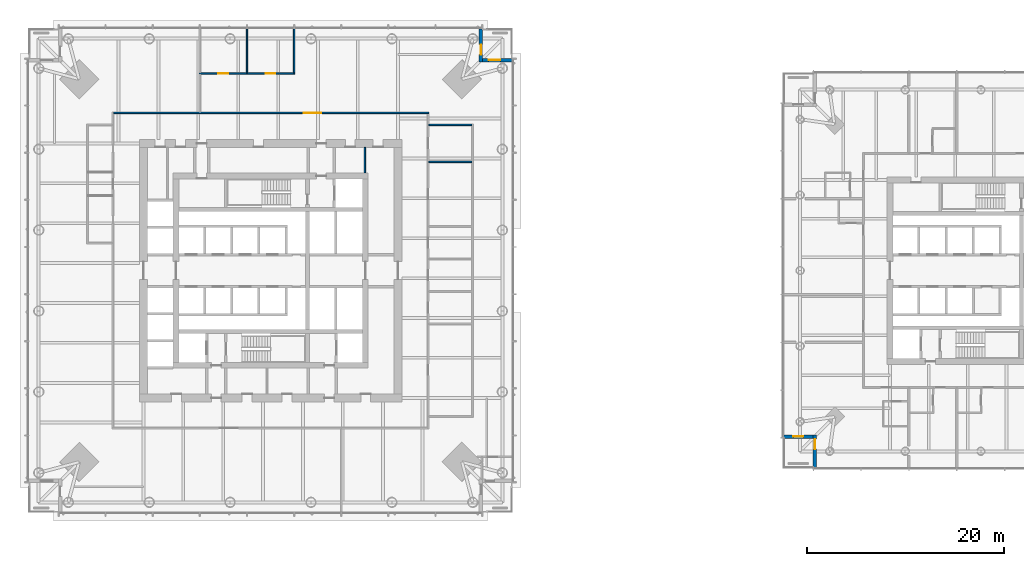
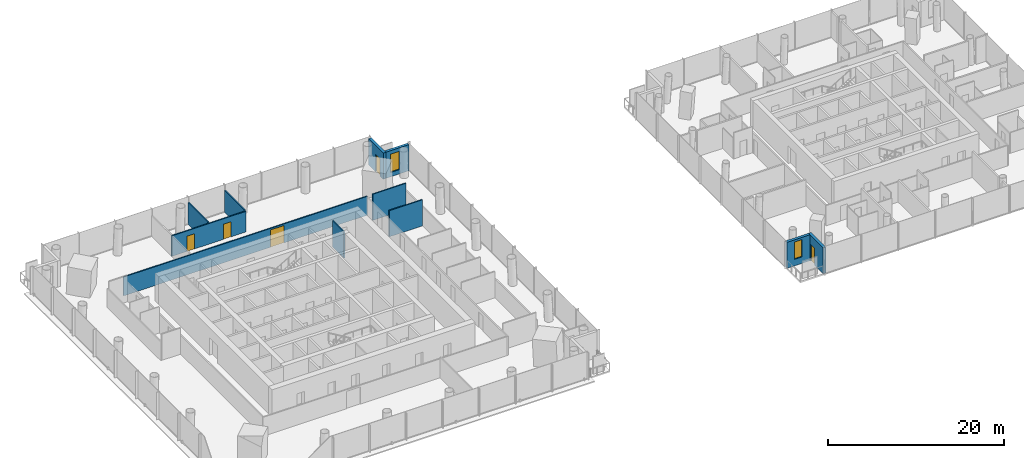
# One storey, part 12 of 26: 11 walls, 5 doors, 2 windows, 7 openings.
"""IFC4 building model written with IfcOpenShell, lengths in metres."""

from ifc_helpers import new_model, si_unit, direction, frame, frame_2d, origin, place, context, subcontext, project, spatial, rectangle, extrude, material, layer, layer_set, type_object, element, fill, save


model = new_model("IFC4")

# Units and contexts
model_context = context("Model", 3, precision=1e-05, world=origin(), true_north=direction((0.0, 1.0)))
body_context = subcontext(model_context, "Body", "Model", "MODEL_VIEW")
ifc_project = project(units=[si_unit("LENGTHUNIT", "METRE"), si_unit("AREAUNIT", "SQUARE_METRE"), si_unit("VOLUMEUNIT", "CUBIC_METRE"), si_unit("PLANEANGLEUNIT", "RADIAN"), si_unit("MASSUNIT", "GRAM", prefix="KILO")], contexts=[model_context])

# Site, building, storey
site_placement = place(None, origin())
site = spatial("IfcSite", under=ifc_project, at=site_placement, CompositionType="ELEMENT")
building_placement = place(site_placement, origin())
building = spatial("IfcBuilding", under=site, at=building_placement, Name="Ostroluk Exchange", CompositionType="ELEMENT")
storey_placement = place(building_placement, frame((0.0, 0.0, 36.199951171875)))
storey = spatial("IfcBuildingStorey", under=building, at=storey_placement, Name="L08", CompositionType="ELEMENT", Elevation=36.199951171875)

# Wall
ifc_material_1 = material(Name="Concrete blockwork", Category="masonry")
ifc_layer_1 = layer(ifc_material_1, 0.14990234375)
ifc_layer_set_1 = layer_set([ifc_layer_1], Name="Blockwork plant room wall 150")
wall_type_1 = type_object("IfcWallType", Name="Blockwork plant room wall 150", PredefinedType="SOLIDWALL", material=ifc_layer_set_1)
wall_1_placement = place(storey_placement, frame((54.550048828125, 55.89990234375, 0.0), z_axis=(0.0, 0.0, 1.0), x_axis=(0.0, 1.0, 0.0)))
element("IfcWall", 1, at=wall_1_placement, inside=storey, type_object=wall_type_1, Name="Core room wall", PredefinedType="SOLIDWALL", context=body_context, shape_type="SweptSolid", body=[
    extrude(rectangle(XDim=2.60009765625, YDim=0.14990234375, at=frame_2d((1.300048828125, 0.0))), origin(), (0.0, 0.0, 1.0), 3.6201171875),
])

# Wall, opening, door
ifc_material_2 = material(Name="Limestone", Category="masonry")
ifc_layer_2 = layer(ifc_material_2, 0.35009765625)
ifc_layer_set_2 = layer_set([ifc_layer_2], Name="Limestone facade wall 350")
wall_type_2 = type_object("IfcWallType", Name="Limestone facade wall 350", PredefinedType="SOLIDWALL", material=ifc_layer_set_2)
wall_2_placement = place(storey_placement, frame((66.324951171875, 70.5, 0.0), z_axis=(0.0, 0.0, 1.0), x_axis=(0.0, -1.0, 0.0)))
wall_2 = element("IfcWall", 2, at=wall_2_placement, inside=storey, type_object=wall_type_2, Name="Office tower NE corner wall L08 a", PredefinedType="SOLIDWALL", context=body_context, shape_type="SweptSolid", body=[
    extrude(rectangle(XDim=3.35009765625, YDim=0.35009765625, at=frame_2d((1.675048828125, 0.0))), origin(), (0.0, 0.0, 1.0), 3.6201171875),
])
opening_1_placement = place(wall_2_placement, frame((1.60009765625, 0.0, 0.0)))
opening_1 = element("IfcOpeningElement", 3, at=opening_1_placement, cuts=wall_2, Name="Opening D-B1", PredefinedType="OPENING", context=body_context, shape_type="SweptSolid", body=[
    extrude(rectangle(XDim=1.0, YDim=2.39990234375, at=frame_2d((0.5, 1.199951171875))), frame((0.0, 0.18505859375, 0.0), z_axis=(0.0, -1.0, 0.0), x_axis=(1.0, 0.0, 0.0)), (0.0, 0.0, 1.0), 0.3701171875),
])
ifc_material_3 = material(Name="Bronze framed glazed door", Category="aluminium")
door_type_1 = type_object("IfcDoorType", Name="Balcony door 1000 x 2400", OperationType="SINGLE_SWING_LEFT", PredefinedType="DOOR", material=ifc_material_3)
door_1_placement = place(opening_1_placement, origin())
door_1 = element("IfcDoor", 4, at=door_1_placement, inside=storey, type_object=door_type_1, Name="Office tower NE balcony door L08", OperationType="SINGLE_SWING_RIGHT", OverallHeight=2.39990234375, OverallWidth=1.0, PredefinedType="DOOR", context=body_context, shape_type="SweptSolid", body=[
    extrude(rectangle(XDim=1.0, YDim=2.39990234375, at=frame_2d((0.5, 1.199951171875))), frame((0.0, 0.02490234375, 0.0), z_axis=(0.0, -1.0, 0.0), x_axis=(1.0, 0.0, 0.0)), (0.0, 0.0, 1.0), 0.050048828125),
])
fill(opening_1, door_1)

# Wall, opening, window
wall_3_placement = place(storey_placement, frame((66.5, 67.324951171875, 0.0), z_axis=(0.0, 0.0, 1.0), x_axis=(1.0, 0.0, 0.0)))
wall_3 = element("IfcWall", 5, at=wall_3_placement, inside=storey, type_object=wall_type_2, Name="Office tower NE corner wall L08 b", PredefinedType="SOLIDWALL", context=body_context, shape_type="SweptSolid", body=[
    extrude(rectangle(XDim=3.0, YDim=0.35009765625, at=frame_2d((1.5, 0.0))), origin(), (0.0, 0.0, 1.0), 3.6201171875),
])
opening_2_placement = place(wall_3_placement, frame((0.60009765625, 0.0, 0.60009765625)))
opening_2 = element("IfcOpeningElement", 6, at=opening_2_placement, cuts=wall_3, Name="Opening WN-L1", PredefinedType="OPENING", context=body_context, shape_type="SweptSolid", body=[
    extrude(rectangle(XDim=1.199951171875, YDim=2.550048828125, at=frame_2d((0.60009765625, 1.27490234375))), frame((0.0, 0.18505859375, 0.0), z_axis=(0.0, -1.0, 0.0), x_axis=(1.0, 0.0, 0.0)), (0.0, 0.0, 1.0), 0.3701171875),
])
ifc_material_4 = material(Name="Laminated clear glass", Category="glass")
window_type_1 = type_object("IfcWindowType", Name="Lancet window 1200 x 2550", PartitioningType="SINGLE_PANEL", PredefinedType="WINDOW", material=ifc_material_4)
window_1_placement = place(opening_2_placement, origin())
window_1 = element("IfcWindow", 7, at=window_1_placement, inside=storey, type_object=window_type_1, Name="Office tower NE lancet window L08", OverallHeight=2.550048828125, OverallWidth=1.199951171875, PartitioningType="SINGLE_PANEL", PredefinedType="WINDOW", context=body_context, shape_type="SweptSolid", body=[
    extrude(rectangle(XDim=1.199951171875, YDim=2.550048828125, at=frame_2d((0.60009765625, 1.27490234375))), frame((0.0, 0.030029296875, 0.0), z_axis=(0.0, -1.0, 0.0), x_axis=(1.0, 0.0, 0.0)), (0.0, 0.0, 1.0), 0.06005859375),
])
fill(opening_2, window_1)

# Wall, opening, door
wall_4_placement = place(storey_placement, frame((100.175048828125, 26.0, 0.0), z_axis=(0.0, 0.0, 1.0), x_axis=(0.0, 1.0, 0.0)))
wall_4 = element("IfcWall", 8, at=wall_4_placement, inside=storey, type_object=wall_type_2, Name="Hotel tower SW corner wall L08 a", PredefinedType="SOLIDWALL", context=body_context, shape_type="SweptSolid", body=[
    extrude(rectangle(XDim=3.35009765625, YDim=0.35009765625, at=frame_2d((1.675048828125, 0.0))), origin(), (0.0, 0.0, 1.0), 3.60009765625),
])
opening_3_placement = place(wall_4_placement, frame((1.89990234375, 0.0, 0.0)))
opening_3 = element("IfcOpeningElement", 9, at=opening_3_placement, cuts=wall_4, Name="Opening D-B1", PredefinedType="OPENING", context=body_context, shape_type="SweptSolid", body=[
    extrude(rectangle(XDim=1.0, YDim=2.39990234375, at=frame_2d((0.5, 1.199951171875))), frame((0.0, 0.18505859375, 0.0), z_axis=(0.0, -1.0, 0.0), x_axis=(1.0, 0.0, 0.0)), (0.0, 0.0, 1.0), 0.3701171875),
])
door_2_placement = place(opening_3_placement, origin())
door_2 = element("IfcDoor", 10, at=door_2_placement, inside=storey, type_object=door_type_1, Name="Hotel tower SW balcony door L08", OperationType="SINGLE_SWING_RIGHT", OverallHeight=2.39990234375, OverallWidth=1.0, PredefinedType="DOOR", context=body_context, shape_type="SweptSolid", body=[
    extrude(rectangle(XDim=1.0, YDim=2.39990234375, at=frame_2d((0.5, 1.199951171875))), frame((0.0, 0.02490234375, 0.0), z_axis=(0.0, -1.0, 0.0), x_axis=(1.0, 0.0, 0.0)), (0.0, 0.0, 1.0), 0.050048828125),
])
fill(opening_3, door_2)

# Wall, opening, window
wall_5_placement = place(storey_placement, frame((100.0, 29.175048828125, 0.0), z_axis=(0.0, 0.0, 1.0), x_axis=(-1.0, 0.0, 0.0)))
wall_5 = element("IfcWall", 11, at=wall_5_placement, inside=storey, type_object=wall_type_2, Name="Hotel tower SW corner wall L08 b", PredefinedType="SOLIDWALL", context=body_context, shape_type="SweptSolid", body=[
    extrude(rectangle(XDim=3.0, YDim=0.35009765625, at=frame_2d((1.5, 0.0))), origin(), (0.0, 0.0, 1.0), 3.60009765625),
])
opening_4_placement = place(wall_5_placement, frame((1.0, 0.0, 0.89990234375)))
opening_4 = element("IfcOpeningElement", 12, at=opening_4_placement, cuts=wall_5, Name="Opening WN-L3", PredefinedType="OPENING", context=body_context, shape_type="SweptSolid", body=[
    extrude(rectangle(XDim=1.0, YDim=2.39990234375, at=frame_2d((0.5, 1.199951171875))), frame((0.0, 0.18505859375, 0.0), z_axis=(0.0, -1.0, 0.0), x_axis=(1.0, 0.0, 0.0)), (0.0, 0.0, 1.0), 0.3701171875),
])
ifc_material_5 = material(Name="Laminated clear glass", Category="glass")
window_type_2 = type_object("IfcWindowType", Name="Hotel lancet window 1000 x 2400", PartitioningType="SINGLE_PANEL", PredefinedType="WINDOW", material=ifc_material_5)
window_2_placement = place(opening_4_placement, origin())
window_2 = element("IfcWindow", 13, at=window_2_placement, inside=storey, type_object=window_type_2, Name="Hotel tower SW lancet window L08", OverallHeight=2.39990234375, OverallWidth=1.0, PartitioningType="SINGLE_PANEL", PredefinedType="WINDOW", context=body_context, shape_type="SweptSolid", body=[
    extrude(rectangle(XDim=1.0, YDim=2.39990234375, at=frame_2d((0.5, 1.199951171875))), frame((0.0, 0.030029296875, 0.0), z_axis=(0.0, -1.0, 0.0), x_axis=(1.0, 0.0, 0.0)), (0.0, 0.0, 1.0), 0.06005859375),
])
fill(opening_4, window_2)

# Walls
ifc_material_6 = material(Name="Gypsum plasterboard partition", Category="gypsum")
ifc_layer_3 = layer(ifc_material_6, 0.14990234375)
ifc_layer_set_3 = layer_set([ifc_layer_3], Name="Plasterboard partition 150")
wall_type_3 = type_object("IfcWallType", Name="Plasterboard partition 150", PredefinedType="PARTITIONING", material=ifc_layer_set_3)
for number, where, z_axis, x_axis, name in (
    (14, (61.050048828125, 57.022705078125, 0.0), (0.0, 0.0, 1.0), (1.0, 0.0, 0.0), "Partition"),
    (15, (61.050048828125, 60.77490234375, 0.0), (0.0, 0.0, 1.0), (1.0, 0.0, 0.0), "Partition"),
):
    element("IfcWall", number, at=place(storey_placement, frame(where, z_axis=z_axis, x_axis=x_axis)), inside=storey, type_object=wall_type_3, Name=name, PredefinedType="PARTITIONING", context=body_context, shape_type="SweptSolid", body=[
        extrude(rectangle(XDim=4.349853515625, YDim=0.14990234375, at=frame_2d((2.1748046875, 0.0))), origin(), (0.0, 0.0, 1.0), 3.6201171875),
    ])

# Wall, openings, doors
wall_6_placement = place(storey_placement, frame((47.4638671875, 66.0, 0.0), z_axis=(0.0, 0.0, 1.0), x_axis=(-1.0, 0.0, 0.0)))
wall_6 = element("IfcWall", 16, at=wall_6_placement, inside=storey, type_object=wall_type_3, Name="Partition", PredefinedType="PARTITIONING", context=body_context, shape_type="SweptSolid", body=[
    extrude(rectangle(XDim=9.70556640625, YDim=0.14990234375, at=frame_2d((4.852783203125, 0.0))), origin(), (0.0, 0.0, 1.0), 2.85009765625),
])
opening_5_placement = place(wall_6_placement, frame((1.9638671875, 0.0, 0.0)))
opening_5 = element("IfcOpeningElement", 17, at=opening_5_placement, cuts=wall_6, Name="Opening D-03", PredefinedType="OPENING", context=body_context, shape_type="SweptSolid", body=[
    extrude(rectangle(XDim=1.0, YDim=2.10009765625, at=frame_2d((0.5, 1.050048828125))), frame((0.0, 0.0849609375, 0.0), z_axis=(0.0, -1.0, 0.0), x_axis=(1.0, 0.0, 0.0)), (0.0, 0.0, 1.0), 0.169921875),
])
opening_6_placement = place(wall_6_placement, frame((6.74169921875, 0.0, 0.0)))
opening_6 = element("IfcOpeningElement", 18, at=opening_6_placement, cuts=wall_6, Name="Opening D-03", PredefinedType="OPENING", context=body_context, shape_type="SweptSolid", body=[
    extrude(rectangle(XDim=1.0, YDim=2.10009765625, at=frame_2d((0.5, 1.050048828125))), frame((0.0, 0.0849609375, 0.0), z_axis=(0.0, -1.0, 0.0), x_axis=(1.0, 0.0, 0.0)), (0.0, 0.0, 1.0), 0.169921875),
])
ifc_material_7 = material(Name="Timber", Category="wood")
door_type_2 = type_object("IfcDoorType", Name="Internal door 1000 x 2100", OperationType="SINGLE_SWING_LEFT", PredefinedType="DOOR", material=ifc_material_7)
door_3_placement = place(opening_5_placement, origin())
door_3 = element("IfcDoor", 19, at=door_3_placement, inside=storey, type_object=door_type_2, Name="Office door", OperationType="SINGLE_SWING_LEFT", OverallHeight=2.10009765625, OverallWidth=1.0, PredefinedType="DOOR", context=body_context, shape_type="SweptSolid", body=[
    extrude(rectangle(XDim=1.0, YDim=2.10009765625, at=frame_2d((0.5, 1.050048828125))), frame((0.0, 0.02490234375, 0.0), z_axis=(0.0, -1.0, 0.0), x_axis=(1.0, 0.0, 0.0)), (0.0, 0.0, 1.0), 0.050048828125),
])
fill(opening_5, door_3)
door_4_placement = place(opening_6_placement, origin())
door_4 = element("IfcDoor", 20, at=door_4_placement, inside=storey, type_object=door_type_2, Name="Office door", OperationType="SINGLE_SWING_RIGHT", OverallHeight=2.10009765625, OverallWidth=1.0, PredefinedType="DOOR", context=body_context, shape_type="SweptSolid", body=[
    extrude(rectangle(XDim=1.0, YDim=2.10009765625, at=frame_2d((0.5, 1.050048828125))), frame((0.0, 0.02490234375, 0.0), z_axis=(0.0, -1.0, 0.0), x_axis=(1.0, 0.0, 0.0)), (0.0, 0.0, 1.0), 0.050048828125),
])
fill(opening_6, door_4)

# Walls
for number, where, z_axis, x_axis, name in (
    (21, (47.388916015625, 66.074951171875, 0.0), (0.0, 0.0, 1.0), (0.0, 1.0, 0.0), "Partition"),
    (22, (42.611083984375, 66.074951171875, 0.0), (0.0, 0.0, 1.0), (0.0, 1.0, 0.0), "Partition"),
):
    element("IfcWall", number, at=place(storey_placement, frame(where, z_axis=z_axis, x_axis=x_axis)), inside=storey, type_object=wall_type_3, Name=name, PredefinedType="PARTITIONING", context=body_context, shape_type="SweptSolid", body=[
        extrude(rectangle(XDim=4.465087890625, YDim=0.14990234375, at=frame_2d((2.232421875, 0.0))), origin(), (0.0, 0.0, 1.0), 3.02001953125),
    ])

# Wall, opening, door
wall_7_placement = place(storey_placement, frame((61.050048828125, 61.97509765625, 0.0), z_axis=(0.0, 0.0, 1.0), x_axis=(-1.0, 0.0, 0.0)))
wall_7 = element("IfcWall", 23, at=wall_7_placement, inside=storey, type_object=wall_type_3, Name="Corridor wall", PredefinedType="PARTITIONING", context=body_context, shape_type="SweptSolid", body=[
    extrude(rectangle(XDim=31.949951171875, YDim=0.14990234375, at=frame_2d((15.97509765625, 0.0))), origin(), (0.0, 0.0, 1.0), 2.612060546875),
])
opening_7_placement = place(wall_7_placement, frame((10.908447265625, 0.0, 0.0)))
opening_7 = element("IfcOpeningElement", 24, at=opening_7_placement, cuts=wall_7, Name="Opening D-04", PredefinedType="OPENING", context=body_context, shape_type="SweptSolid", body=[
    extrude(rectangle(XDim=1.800048828125, YDim=2.39990234375, at=frame_2d((0.89990234375, 1.199951171875))), frame((0.0, 0.0849609375, 0.0), z_axis=(0.0, -1.0, 0.0), x_axis=(1.0, 0.0, 0.0)), (0.0, 0.0, 1.0), 0.169921875),
])
ifc_material_8 = material(Name="Timber", Category="wood")
door_type_3 = type_object("IfcDoorType", Name="Double door 1800 x 2400", OperationType="DOUBLE_DOOR_SINGLE_SWING", PredefinedType="DOOR", material=ifc_material_8)
door_5_placement = place(opening_7_placement, origin())
door_5 = element("IfcDoor", 25, at=door_5_placement, inside=storey, type_object=door_type_3, Name="Open plan office door", OperationType="DOUBLE_DOOR_SINGLE_SWING", OverallHeight=2.39990234375, OverallWidth=1.800048828125, PredefinedType="DOOR", context=body_context, shape_type="SweptSolid", body=[
    extrude(rectangle(XDim=1.800048828125, YDim=2.39990234375, at=frame_2d((0.89990234375, 1.199951171875))), frame((0.0, 0.02490234375, 0.0), z_axis=(0.0, -1.0, 0.0), x_axis=(1.0, 0.0, 0.0)), (0.0, 0.0, 1.0), 0.050048828125),
])
fill(opening_7, door_5)

save(model, "model.ifc")
